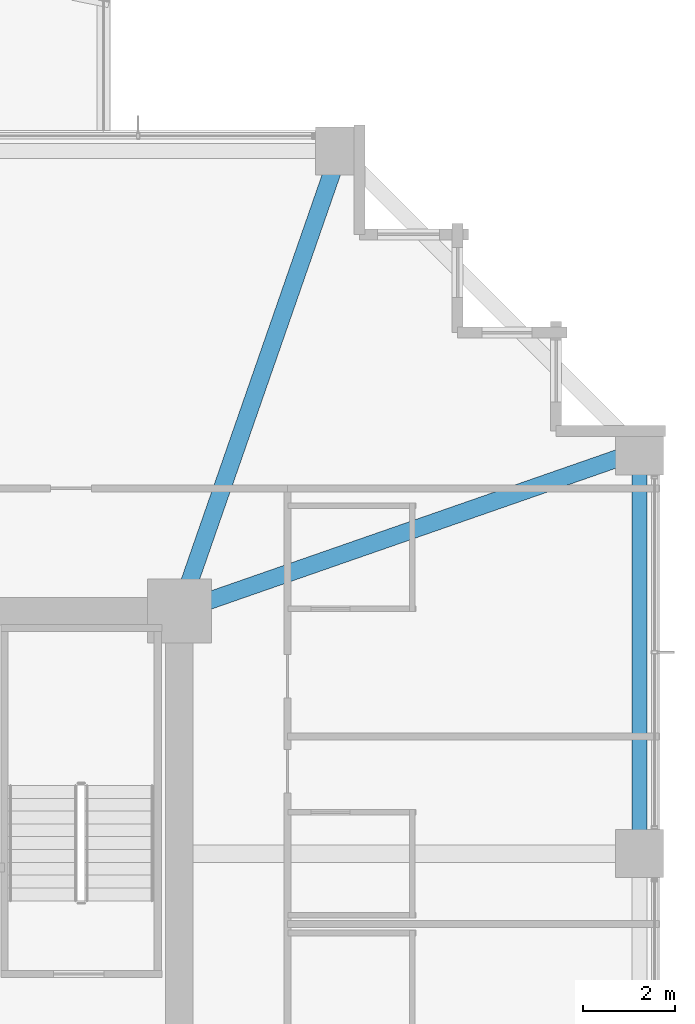
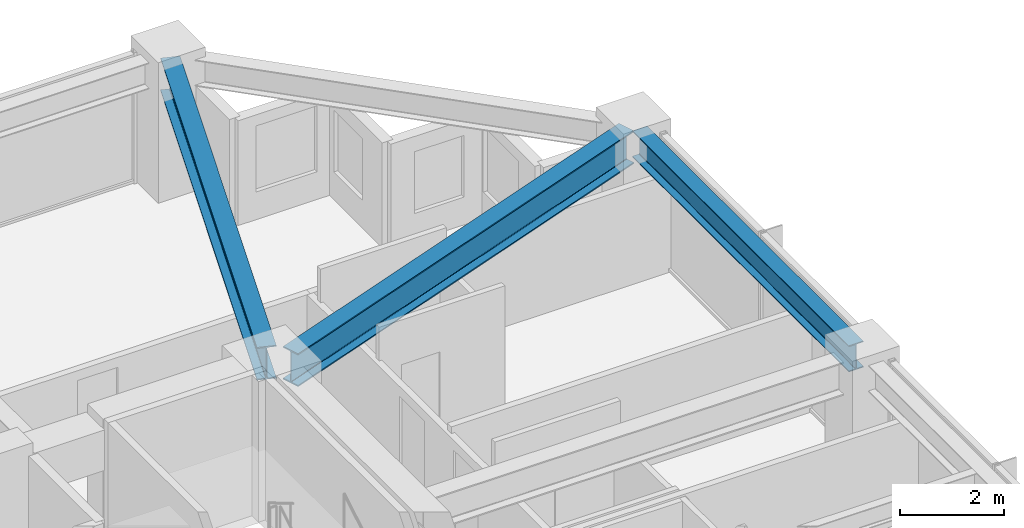
# One storey, part 23 of 38: 3 beams.
"""IFC4 building model written with IfcOpenShell, lengths in metres."""

from ifc_helpers import new_model, si_unit, direction, frame, origin, origin_2d, place, context, subcontext, project, spatial, i_section, extrude, material, material_profile, profile_set, type_object, element, save


model = new_model("IFC4")

# Units and contexts
model_context = context("Model", 3, precision=1e-05, world=origin(), true_north=direction((0.0, 1.0)))
body_context = subcontext(model_context, "Body", "Model", "MODEL_VIEW")
ifc_project = project(units=[si_unit("LENGTHUNIT", "METRE"), si_unit("AREAUNIT", "SQUARE_METRE"), si_unit("VOLUMEUNIT", "CUBIC_METRE"), si_unit("PLANEANGLEUNIT", "RADIAN"), si_unit("MASSUNIT", "GRAM", prefix="KILO")], contexts=[model_context])

# Site, building, storey
site_placement = place(None, origin())
site = spatial("IfcSite", under=ifc_project, at=site_placement, CompositionType="ELEMENT")
building_placement = place(site_placement, origin())
building = spatial("IfcBuilding", under=site, at=building_placement, Name="Kolvaren Belvedere", CompositionType="ELEMENT")
storey_placement = place(building_placement, frame((0.0, 0.0, 98.60009765625)))
storey = spatial("IfcBuildingStorey", under=building, at=storey_placement, Name="L28", CompositionType="ELEMENT", Elevation=98.60009765625)

# Beams
ifc_material_1 = material(Name="Structural steel ASTM A992 Grade 50", Category="steel")
ifc_material_profile_1 = material_profile(ifc_material_1, i_section(OverallWidth=0.381103515625, OverallDepth=0.77294921875, WebThickness=0.0166015625, FlangeThickness=0.027099609375, FilletRadius=0.02392578125, at=origin_2d()), Name="W30X173")
ifc_profile_set_1 = profile_set([ifc_material_profile_1], Name="Structural steel ASTM A992 Grade 50")
beam_type_1 = type_object("IfcBeamType", Name="BM-GIRD-W30X173", PredefinedType="BEAM", material=ifc_profile_set_1)
for number, where, z_axis, x_axis, name in (
    (1, (10.080810546875, 10.41943359375, 2.693359375), (0.328880894453, 0.944371408538, 0.0), (-0.944371408538, 0.328880894453, 0.0), "L28 Corner Core-to-Perimeter Girder CC3-N4"),
    (2, (10.41943359375, 10.080810546875, 2.693359375), (0.944371408538, 0.328880894453, 0.0), (-0.328880894453, 0.944371408538, 0.0), "L28 Corner Core-to-Perimeter Girder CC3-E4"),
):
    element("IfcBeam", number, at=place(storey_placement, frame(where, z_axis=z_axis, x_axis=x_axis)), inside=storey, type_object=beam_type_1, Name=name, PredefinedType="BEAM", context=body_context, shape_type="SweptSolid", body=[
        extrude(i_section(OverallWidth=0.381103515625, OverallDepth=0.77294921875, WebThickness=0.0166015625, FlangeThickness=0.027099609375, FilletRadius=0.02392578125, at=origin_2d()), origin(), (0.0, 0.0, 1.0), 9.882080078125),
    ])
ifc_material_2 = material(Name="Structural steel ASTM A992 Grade 50", Category="steel")
ifc_material_profile_2 = material_profile(ifc_material_2, i_section(OverallWidth=0.324951171875, OverallDepth=0.615966796875, WebThickness=0.013916015625, FlangeThickness=0.021484375, FilletRadius=0.02001953125, at=origin_2d()), Name="W24X117")
ifc_profile_set_2 = profile_set([ifc_material_profile_2], Name="Structural steel ASTM A992 Grade 50")
beam_type_2 = type_object("IfcBeamType", Name="BM-SPAN-W24X117", PredefinedType="SPANDREL", material=ifc_profile_set_2)
beam_placement = place(storey_placement, frame((19.949951171875, 4.836181640625, 2.77197265625), z_axis=(0.0, 1.0, 0.0), x_axis=(-1.0, 0.0, 0.0)))
element("IfcBeam", 3, at=beam_placement, inside=storey, type_object=beam_type_2, Name="L28 Perimeter Spandrel E3-E4", PredefinedType="SPANDREL", context=body_context, shape_type="SweptSolid", body=[
    extrude(i_section(OverallWidth=0.324951171875, OverallDepth=0.615966796875, WebThickness=0.013916015625, FlangeThickness=0.021484375, FilletRadius=0.02001953125, at=origin_2d()), origin(), (0.0, 0.0, 1.0), 8.32763671875),
])

save(model, "model.ifc")
